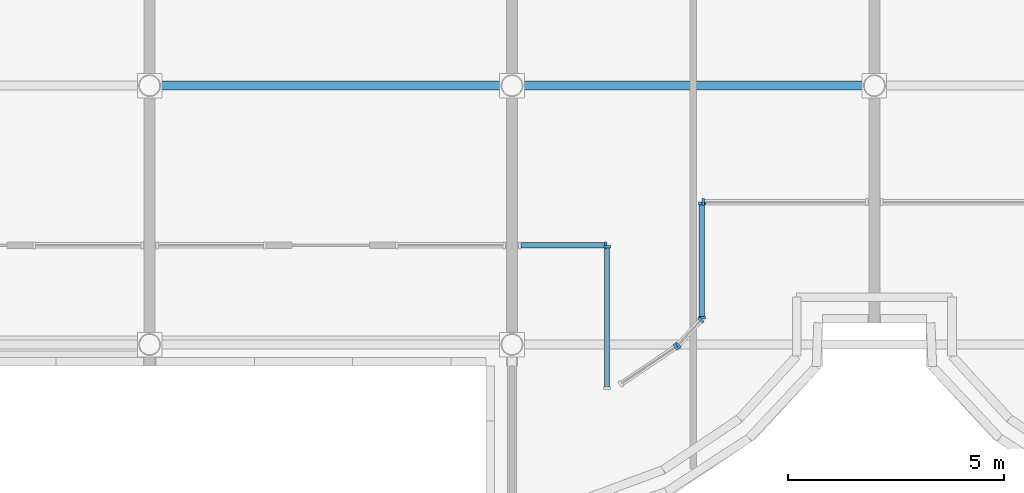
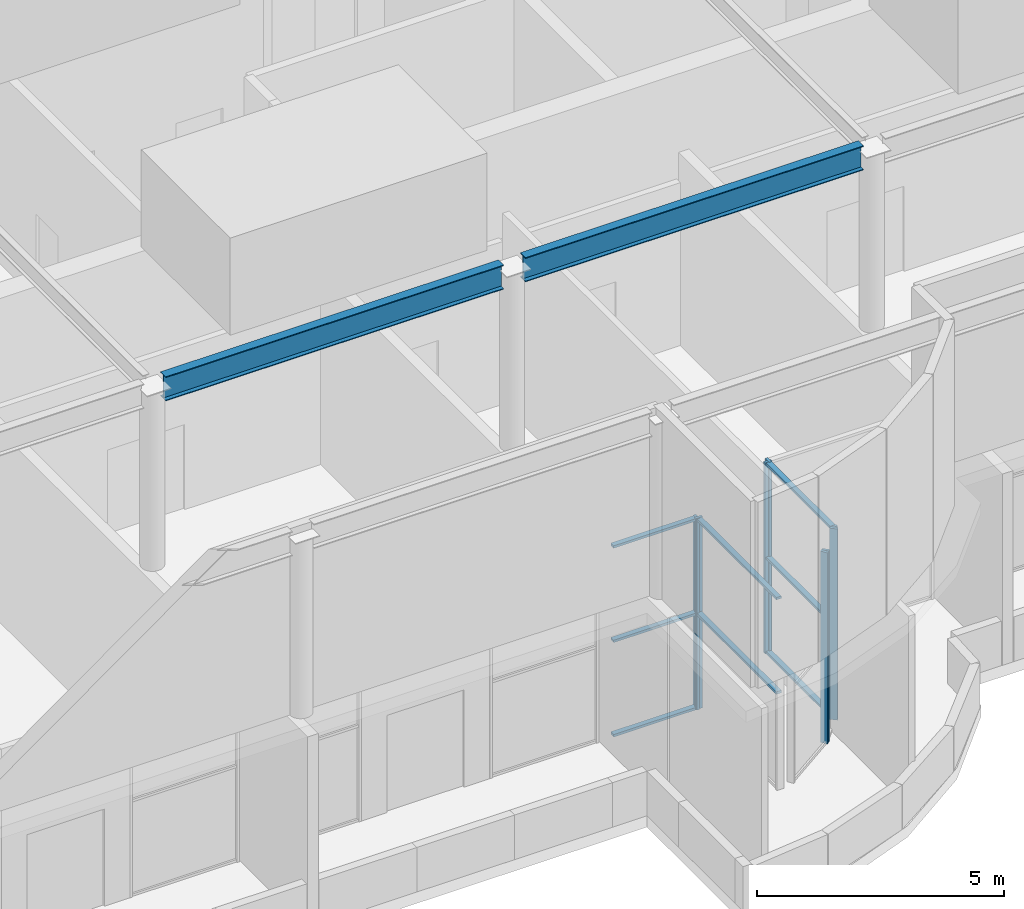
# One storey, part 7 of 25: 16 members, 2 beams, 6 elements without a shape of their own.
"""IFC4 building model written with IfcOpenShell, lengths in metres."""

from ifc_helpers import new_model, si_unit, direction, frame, origin, origin_2d, place, context, subcontext, project, spatial, rectangle, i_section, extrude, source, transform, mapped, material, material_profile, profile_set, type_object, element, aggregate, save


model = new_model("IFC4")

# Units and contexts
model_context = context("Model", 3, precision=1e-05, world=origin(), true_north=direction((0.0, 1.0)))
body_context = subcontext(model_context, "Body", "Model", "MODEL_VIEW")
ifc_project = project(units=[si_unit("LENGTHUNIT", "METRE"), si_unit("AREAUNIT", "SQUARE_METRE"), si_unit("VOLUMEUNIT", "CUBIC_METRE"), si_unit("PLANEANGLEUNIT", "RADIAN"), si_unit("MASSUNIT", "GRAM", prefix="KILO")], contexts=[model_context])

# Site, building, storey
site_placement = place(None, origin())
site = spatial("IfcSite", under=ifc_project, at=site_placement, CompositionType="ELEMENT")
building_placement = place(site_placement, origin())
building = spatial("IfcBuilding", under=site, at=building_placement, Name="Vanashikhar Sky Hotel", CompositionType="ELEMENT")
storey_placement = place(building_placement, frame((0.0, 0.0, 329.699951171875)))
storey = spatial("IfcBuildingStorey", under=building, at=storey_placement, Name="L78", CompositionType="ELEMENT", Elevation=329.699951171875)

# Beams
ifc_material_1 = material(Name="Steel S355", Category="steel")
ifc_material_profile_1 = material_profile(ifc_material_1, i_section(OverallWidth=0.2099609375, OverallDepth=0.60009765625, WebThickness=0.011962890625, FlangeThickness=0.020751953125, at=origin_2d()), Name="ISMB 600")
ifc_profile_set_1 = profile_set([ifc_material_profile_1], Name="Steel S355")
beam_type = type_object("IfcBeamType", Name="ISMB 600 Steel S355", PredefinedType="BEAM", material=ifc_profile_set_1)
shared_shape_1 = source(origin(), body_context, "Body", "SweptSolid", [
    extrude(i_section(OverallWidth=0.2099609375, OverallDepth=0.60009765625, WebThickness=0.011962890625, FlangeThickness=0.020751953125, at=origin_2d()), origin(), (0.0, 0.0, 1.0), 7.89208984375),
])
for number, where, z_axis, x_axis, name in (
    (1, (33.85400390625, 12.0, 9.300048828125), (1.0, 0.0, 0.0), (0.0, 1.0, 0.0), "CR-L78-X08"),
    (2, (42.25390625, 12.0, 9.300048828125), (1.0, 0.0, 0.0), (0.0, 1.0, 0.0), "CR-L78-X09"),
):
    element("IfcBeam", number, at=place(storey_placement, frame(where, z_axis=z_axis, x_axis=x_axis)), inside=storey, type_object=beam_type, Name=name, PredefinedType="BEAM", context=body_context, shape_type="MappedRepresentation", body=[
        mapped(shared_shape_1, transform((0.0, 0.0, 0.0), scale=1.0)),
    ])

# Curtain wall, member
ifc_material_2 = material(Name="Glass", Category="glass")
curtain_wall_type = type_object("IfcCurtainWallType", Name="Observation enclosure", PredefinedType="NOTDEFINED", material=ifc_material_2)
curtain_wall_1_placement = place(storey_placement, origin())
curtain_wall_1 = element("IfcCurtainWall", 3, at=curtain_wall_1_placement, inside=storey, type_object=curtain_wall_type, Name="Observation enclosure", PredefinedType="NOTDEFINED")
ifc_material_3 = material(Name="Aluminium 6063-T6", Category="aluminium")
ifc_material_profile_2 = material_profile(ifc_material_3, rectangle(XDim=0.159912109375, YDim=0.06005859375, at=origin_2d()))
ifc_profile_set_2 = profile_set([ifc_material_profile_2], Name="Aluminium 6063-T6")
member_type_1 = type_object("IfcMemberType", Name="Observation mullion 60 x 160", PredefinedType="MULLION", material=ifc_profile_set_2)
shared_shape_2 = source(origin(), body_context, "Body", "SweptSolid", [
    extrude(rectangle(XDim=0.159912109375, YDim=0.06005859375, at=origin_2d()), origin(), (0.0, 0.0, 1.0), 4.719970703125),
])
member_1_placement = place(storey_placement, frame((44.169921875, 8.300048828125, 0.0), z_axis=(0.0, 0.0, 1.0), x_axis=(0.0, 1.0, 0.0)))
member_1 = element("IfcMember", 4, at=member_1_placement, type_object=member_type_1, Name="CW-6 mullion 2", PredefinedType="MULLION", context=body_context, shape_type="MappedRepresentation", body=[
    mapped(shared_shape_2, transform((0.0, 0.0, 0.0), scale=1.0)),
])

curtain_wall_2_placement = place(storey_placement, origin())
curtain_wall_2 = element("IfcCurtainWall", 5, at=curtain_wall_2_placement, inside=storey, type_object=curtain_wall_type, Name="Observation enclosure", PredefinedType="NOTDEFINED")
member_2_placement = place(storey_placement, frame((44.199951171875, 8.27001953125, 0.0), z_axis=(0.0, 0.0, 1.0), x_axis=(1.0, 0.0, 0.0)))
member_2 = element("IfcMember", 6, at=member_2_placement, type_object=member_type_1, Name="CW-6 mullion 1", PredefinedType="MULLION", context=body_context, shape_type="MappedRepresentation", body=[
    mapped(shared_shape_2, transform((0.0, 0.0, 0.0), scale=1.0)),
])

curtain_wall_3_placement = place(storey_placement, origin())
curtain_wall_3 = element("IfcCurtainWall", 7, at=curtain_wall_3_placement, inside=storey, type_object=curtain_wall_type, Name="Observation enclosure", PredefinedType="NOTDEFINED")
member_3_placement = place(storey_placement, frame((45.80224609375, 5.946044921875, 0.0), z_axis=(0.0, 0.0, 1.0), x_axis=(-0.558363167868, 0.829596632568, 0.0)))
member_3 = element("IfcMember", 8, at=member_3_placement, type_object=member_type_1, Name="CW-6 mullion 2", PredefinedType="MULLION", context=body_context, shape_type="MappedRepresentation", body=[
    mapped(shared_shape_2, transform((0.0, 0.0, 0.0), scale=1.0)),
])
aggregate(curtain_wall_3, [member_3])

# Curtain wall, members
curtain_wall_4_placement = place(storey_placement, origin())
curtain_wall_4 = element("IfcCurtainWall", 9, at=curtain_wall_4_placement, inside=storey, type_object=curtain_wall_type, Name="Observation enclosure", PredefinedType="NOTDEFINED")
member_4_placement = place(storey_placement, frame((45.847412109375, 5.98486328125, 0.0), z_axis=(0.0, 0.0, 1.0), x_axis=(-0.737486797128, 0.675361550624, 0.0)))
member_4 = element("IfcMember", 10, at=member_4_placement, type_object=member_type_1, Name="CW-6 mullion 1", PredefinedType="MULLION", context=body_context, shape_type="MappedRepresentation", body=[
    mapped(shared_shape_2, transform((0.0, 0.0, 0.0), scale=1.0)),
])
member_5_placement = place(storey_placement, frame((46.379638671875, 6.566162109375, 0.0), z_axis=(0.0, 0.0, 1.0), x_axis=(-0.737486797128, 0.675361550624, 0.0)))
member_5 = element("IfcMember", 11, at=member_5_placement, type_object=member_type_1, Name="CW-6 mullion 2", PredefinedType="MULLION", context=body_context, shape_type="MappedRepresentation", body=[
    mapped(shared_shape_2, transform((0.0, 0.0, 0.0), scale=1.0)),
])
aggregate(curtain_wall_4, [member_4, member_5])

curtain_wall_5_placement = place(storey_placement, origin())
curtain_wall_5 = element("IfcCurtainWall", 12, at=curtain_wall_5_placement, inside=storey, type_object=curtain_wall_type, Name="Observation enclosure", PredefinedType="NOTDEFINED")
member_6_placement = place(storey_placement, frame((46.39990234375, 6.618408203125, 0.0), z_axis=(0.0, 0.0, 1.0), x_axis=(-1.0, 0.0, 0.0)))
member_6 = element("IfcMember", 13, at=member_6_placement, type_object=member_type_1, Name="CW-6 mullion 1", PredefinedType="MULLION", context=body_context, shape_type="MappedRepresentation", body=[
    mapped(shared_shape_2, transform((0.0, 0.0, 0.0), scale=1.0)),
])
member_7_placement = place(storey_placement, frame((46.39990234375, 9.27001953125, 0.0), z_axis=(0.0, 0.0, 1.0), x_axis=(-1.0, 0.0, 0.0)))
member_7 = element("IfcMember", 14, at=member_7_placement, type_object=member_type_1, Name="CW-6 mullion 2", PredefinedType="MULLION", context=body_context, shape_type="MappedRepresentation", body=[
    mapped(shared_shape_2, transform((0.0, 0.0, 0.0), scale=1.0)),
])

# Curtain wall, member
curtain_wall_6_placement = place(storey_placement, origin())
curtain_wall_6 = element("IfcCurtainWall", 15, at=curtain_wall_6_placement, inside=storey, type_object=curtain_wall_type, Name="Observation enclosure", PredefinedType="NOTDEFINED")
member_8_placement = place(storey_placement, frame((46.429931640625, 9.300048828125, 0.0), z_axis=(0.0, 0.0, 1.0), x_axis=(0.0, 1.0, 0.0)))
member_8 = element("IfcMember", 16, at=member_8_placement, type_object=member_type_1, Name="CW-6 mullion 1", PredefinedType="MULLION", context=body_context, shape_type="MappedRepresentation", body=[
    mapped(shared_shape_2, transform((0.0, 0.0, 0.0), scale=1.0)),
])
aggregate(curtain_wall_6, [member_8])

# Member
ifc_material_profile_3 = material_profile(ifc_material_3, rectangle(XDim=0.1201171875, YDim=0.06005859375, at=origin_2d()))
ifc_profile_set_3 = profile_set([ifc_material_profile_3], Name="Aluminium 6063-T6")
member_type_2 = type_object("IfcMemberType", Name="Observation transom 60 x 120", PredefinedType="USERDEFINED", material=ifc_profile_set_3)
shared_shape_3 = source(origin(), body_context, "Body", "SweptSolid", [
    extrude(rectangle(XDim=0.1201171875, YDim=0.06005859375, at=origin_2d()), origin(), (0.0, 0.0, 1.0), 1.934814453125),
])
member_9_placement = place(storey_placement, frame((42.205078125, 8.300048828125, 0.030029296875), z_axis=(1.0, 0.0, 0.0), x_axis=(0.0, 1.0, 0.0)))
member_9 = element("IfcMember", 17, at=member_9_placement, type_object=member_type_2, Name="CW-6 transom 1.1", ObjectType="TRANSOM", PredefinedType="USERDEFINED", context=body_context, shape_type="MappedRepresentation", body=[
    mapped(shared_shape_3, transform((0.0, 0.0, 0.0), scale=1.0)),
])

member_10_placement = place(storey_placement, frame((42.205078125, 8.300048828125, 2.360107421875), z_axis=(1.0, 0.0, 0.0), x_axis=(0.0, 1.0, 0.0)))
member_10 = element("IfcMember", 18, at=member_10_placement, type_object=member_type_2, Name="CW-6 transom 1.2", ObjectType="TRANSOM", PredefinedType="USERDEFINED", context=body_context, shape_type="MappedRepresentation", body=[
    mapped(shared_shape_3, transform((0.0, 0.0, 0.0), scale=1.0)),
])

member_11_placement = place(storey_placement, frame((42.205078125, 8.300048828125, 4.68994140625), z_axis=(1.0, 0.0, 0.0), x_axis=(0.0, 1.0, 0.0)))
member_11 = element("IfcMember", 19, at=member_11_placement, type_object=member_type_2, Name="CW-6 transom 1.3", ObjectType="TRANSOM", PredefinedType="USERDEFINED", context=body_context, shape_type="MappedRepresentation", body=[
    mapped(shared_shape_3, transform((0.0, 0.0, 0.0), scale=1.0)),
])

aggregate(curtain_wall_1, [member_1, member_9, member_10, member_11])

shared_shape_4 = source(origin(), body_context, "Body", "SweptSolid", [
    extrude(rectangle(XDim=0.1201171875, YDim=0.06005859375, at=origin_2d()), origin(), (0.0, 0.0, 1.0), 3.222900390625),
])
member_12_placement = place(storey_placement, frame((44.199951171875, 8.239990234375, 2.360107421875), z_axis=(0.0, -1.0, 0.0), x_axis=(1.0, 0.0, 0.0)))
member_12 = element("IfcMember", 20, at=member_12_placement, type_object=member_type_2, Name="CW-6 transom 1.2", ObjectType="TRANSOM", PredefinedType="USERDEFINED", context=body_context, shape_type="MappedRepresentation", body=[
    mapped(shared_shape_4, transform((0.0, 0.0, 0.0), scale=1.0)),
])

member_13_placement = place(storey_placement, frame((44.199951171875, 8.239990234375, 4.68994140625), z_axis=(0.0, -1.0, 0.0), x_axis=(1.0, 0.0, 0.0)))
member_13 = element("IfcMember", 21, at=member_13_placement, type_object=member_type_2, Name="CW-6 transom 1.3", ObjectType="TRANSOM", PredefinedType="USERDEFINED", context=body_context, shape_type="MappedRepresentation", body=[
    mapped(shared_shape_4, transform((0.0, 0.0, 0.0), scale=1.0)),
])

aggregate(curtain_wall_2, [member_2, member_12, member_13])

shared_shape_5 = source(origin(), body_context, "Body", "SweptSolid", [
    extrude(rectangle(XDim=0.1201171875, YDim=0.06005859375, at=origin_2d()), origin(), (0.0, 0.0, 1.0), 2.591552734375),
])
member_14_placement = place(storey_placement, frame((46.39990234375, 6.6484375, 0.030029296875), z_axis=(0.0, 1.0, 0.0), x_axis=(-1.0, 0.0, 0.0)))
member_14 = element("IfcMember", 22, at=member_14_placement, type_object=member_type_2, Name="CW-6 transom 1.1", ObjectType="TRANSOM", PredefinedType="USERDEFINED", context=body_context, shape_type="MappedRepresentation", body=[
    mapped(shared_shape_5, transform((0.0, 0.0, 0.0), scale=1.0)),
])

member_15_placement = place(storey_placement, frame((46.39990234375, 6.6484375, 2.360107421875), z_axis=(0.0, 1.0, 0.0), x_axis=(-1.0, 0.0, 0.0)))
member_15 = element("IfcMember", 23, at=member_15_placement, type_object=member_type_2, Name="CW-6 transom 1.2", ObjectType="TRANSOM", PredefinedType="USERDEFINED", context=body_context, shape_type="MappedRepresentation", body=[
    mapped(shared_shape_5, transform((0.0, 0.0, 0.0), scale=1.0)),
])

member_16_placement = place(storey_placement, frame((46.39990234375, 6.6484375, 4.68994140625), z_axis=(0.0, 1.0, 0.0), x_axis=(-1.0, 0.0, 0.0)))
member_16 = element("IfcMember", 24, at=member_16_placement, type_object=member_type_2, Name="CW-6 transom 1.3", ObjectType="TRANSOM", PredefinedType="USERDEFINED", context=body_context, shape_type="MappedRepresentation", body=[
    mapped(shared_shape_5, transform((0.0, 0.0, 0.0), scale=1.0)),
])

aggregate(curtain_wall_5, [member_6, member_7, member_14, member_15, member_16])

save(model, "model.ifc")
